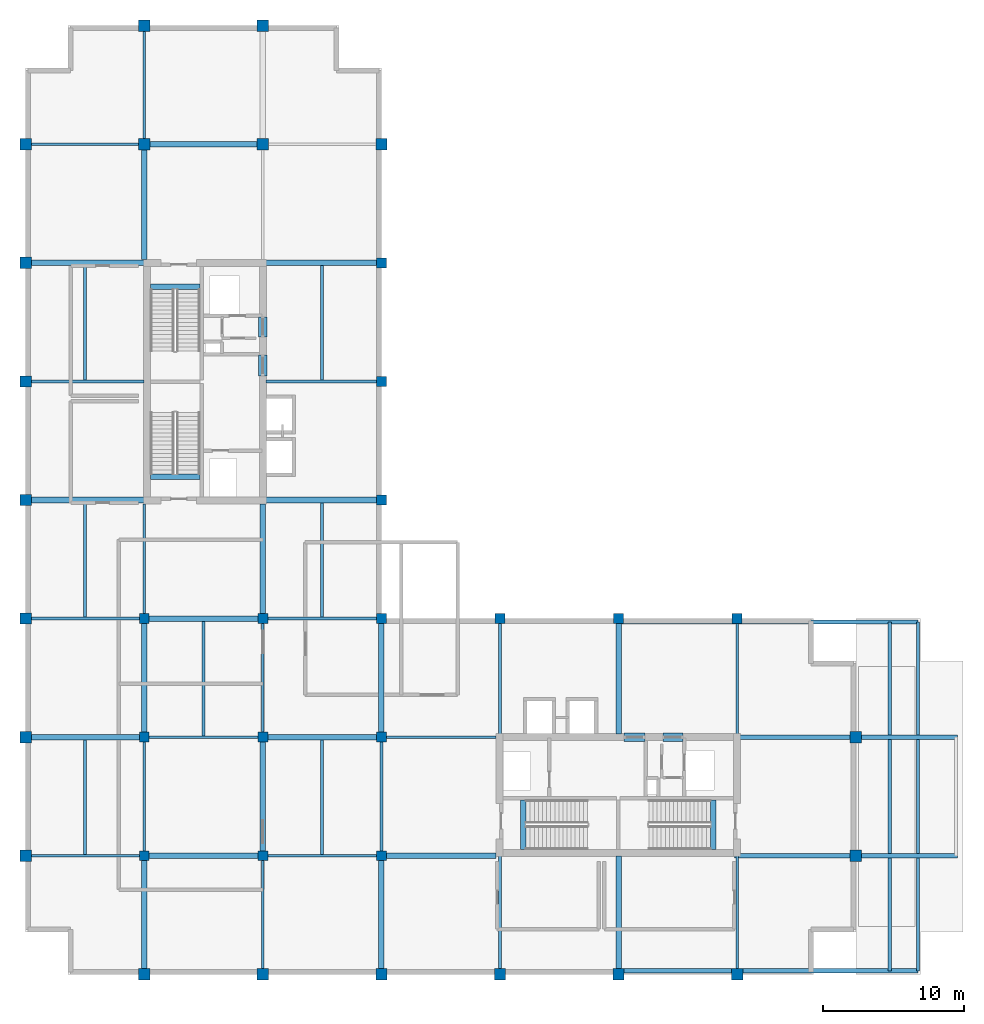
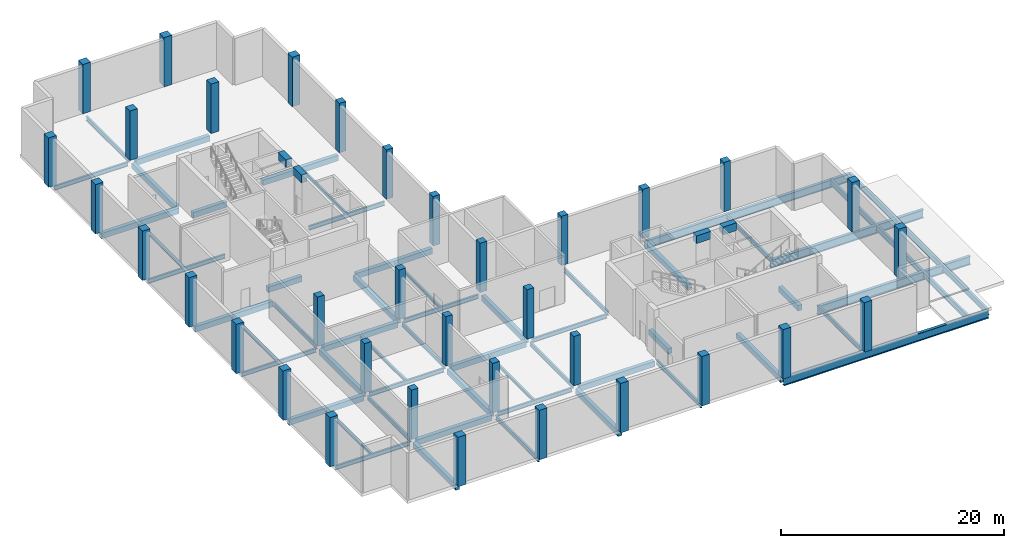
# One storey, part 1 of 7: 59 beams, 35 columns.
"""IFC4 building model written with IfcOpenShell, lengths in metres."""

from ifc_helpers import new_model, si_unit, direction, frame, origin, origin_2d, place, context, subcontext, project, spatial, rectangle, i_section, extrude, material, material_profile, profile_set, type_object, element, save


model = new_model("IFC4")

# Units and contexts
model_context = context("Model", 3, precision=1e-05, world=origin(), true_north=direction((0.0, 1.0)))
body_context = subcontext(model_context, "Body", "Model", "MODEL_VIEW")
ifc_project = project(units=[si_unit("LENGTHUNIT", "METRE"), si_unit("AREAUNIT", "SQUARE_METRE"), si_unit("VOLUMEUNIT", "CUBIC_METRE"), si_unit("PLANEANGLEUNIT", "RADIAN"), si_unit("MASSUNIT", "GRAM", prefix="KILO")], contexts=[model_context])

# Site, building, storey
site_placement = place(None, origin())
site = spatial("IfcSite", under=ifc_project, at=site_placement, CompositionType="ELEMENT")
building_placement = place(site_placement, origin())
building = spatial("IfcBuilding", under=site, at=building_placement, Name="Koriwani Terraces Tower", CompositionType="ELEMENT")
storey_placement = place(building_placement, frame((0.0, 0.0, 368.60009765625)))
storey = spatial("IfcBuildingStorey", under=building, at=storey_placement, Name="L91", CompositionType="ELEMENT", Elevation=368.60009765625)

# Columns
ifc_material_1 = material(Name="Concrete C50/60", Category="concrete")
ifc_material_profile_1 = material_profile(ifc_material_1, rectangle(XDim=0.699951171875, YDim=0.699951171875, at=origin_2d()), Name="Concrete C50/60", Category="LoadBearing")
ifc_profile_set_1 = profile_set([ifc_material_profile_1], Name="Concrete C50/60")
column_type_1 = type_object("IfcColumnType", Name="COL_RC_700X700", PredefinedType="COLUMN", material=ifc_profile_set_1)
for number, where, z_axis, x_axis, name in (
    (1, (16.800048828125, 16.800048828125, 0.0), (0.0, 0.0, 1.0), (1.0, 0.0, 0.0), "L91 Column 3/C"),
    (2, (16.800048828125, 25.199951171875, 0.0), (0.0, 0.0, 1.0), (1.0, 0.0, 0.0), "L91 Column 3/D"),
    (3, (16.800048828125, 33.60009765625, 0.0), (0.0, 0.0, 1.0), (1.0, 0.0, 0.0), "L91 Column 3/E"),
    (4, (25.199951171875, 16.800048828125, 0.0), (0.0, 0.0, 1.0), (1.0, 0.0, 0.0), "L91 Column 4/C"),
    (5, (25.199951171875, 25.199951171875, 0.0), (0.0, 0.0, 1.0), (1.0, 0.0, 0.0), "L91 Column 4/D"),
    (6, (25.199951171875, 33.60009765625, 0.0), (0.0, 0.0, 1.0), (1.0, 0.0, 0.0), "L91 Column 4/E"),
    (7, (33.60009765625, 16.800048828125, 0.0), (0.0, 0.0, 1.0), (1.0, 0.0, 0.0), "L91 Column 5/C"),
    (8, (33.60009765625, 25.199951171875, 0.0), (0.0, 0.0, 1.0), (1.0, 0.0, 0.0), "L91 Column 5/D"),
    (9, (33.60009765625, 33.60009765625, 0.0), (0.0, 0.0, 1.0), (1.0, 0.0, 0.0), "L91 Column 5/E"),
    (10, (33.60009765625, 42.0, 0.0), (0.0, 0.0, 1.0), (1.0, 0.0, 0.0), "L91 Column 5/F"),
    (11, (33.60009765625, 50.39990234375, 0.0), (0.0, 0.0, 1.0), (1.0, 0.0, 0.0), "L91 Column 5/G"),
    (12, (33.60009765625, 58.800048828125, 0.0), (0.0, 0.0, 1.0), (1.0, 0.0, 0.0), "L91 Column 5/H"),
    (13, (42.0, 33.60009765625, 0.0), (0.0, 0.0, 1.0), (1.0, 0.0, 0.0), "L91 Column 6/E"),
    (14, (50.39990234375, 33.60009765625, 0.0), (0.0, 0.0, 1.0), (1.0, 0.0, 0.0), "L91 Column 7/E"),
    (15, (58.800048828125, 33.60009765625, 0.0), (0.0, 0.0, 1.0), (1.0, 0.0, 0.0), "L91 Column 8/E"),
):
    element("IfcColumn", number, at=place(storey_placement, frame(where, z_axis=z_axis, x_axis=x_axis)), inside=storey, type_object=column_type_1, Name=name, PredefinedType="COLUMN", context=body_context, shape_type="SweptSolid", body=[
        extrude(rectangle(XDim=0.699951171875, YDim=0.699951171875, at=origin_2d()), origin(), (0.0, 0.0, 1.0), 5.39990234375),
    ])
ifc_material_profile_2 = material_profile(ifc_material_1, rectangle(XDim=0.800048828125, YDim=0.800048828125, at=origin_2d()), Name="Concrete C50/60", Category="LoadBearing")
ifc_profile_set_2 = profile_set([ifc_material_profile_2], Name="Concrete C50/60")
column_type_2 = type_object("IfcColumnType", Name="COL_RC_800X800", PredefinedType="COLUMN", material=ifc_profile_set_2)
for number, where, z_axis, x_axis, name in (
    (16, (8.39990234375, 16.800048828125, 0.0), (0.0, 0.0, 1.0), (1.0, 0.0, 0.0), "L91 Column 2/C"),
    (17, (8.39990234375, 25.199951171875, 0.0), (0.0, 0.0, 1.0), (1.0, 0.0, 0.0), "L91 Column 2/D"),
    (18, (8.39990234375, 33.60009765625, 0.0), (0.0, 0.0, 1.0), (1.0, 0.0, 0.0), "L91 Column 2/E"),
    (19, (8.39990234375, 42.0, 0.0), (0.0, 0.0, 1.0), (1.0, 0.0, 0.0), "L91 Column 2/F"),
    (20, (8.39990234375, 50.39990234375, 0.0), (0.0, 0.0, 1.0), (1.0, 0.0, 0.0), "L91 Column 2/G"),
    (21, (8.39990234375, 58.800048828125, 0.0), (0.0, 0.0, 1.0), (1.0, 0.0, 0.0), "L91 Column 2/H"),
    (22, (8.39990234375, 67.199951171875, 0.0), (0.0, 0.0, 1.0), (1.0, 0.0, 0.0), "L91 Column 2/I"),
    (23, (16.800048828125, 8.39990234375, 0.0), (0.0, 0.0, 1.0), (1.0, 0.0, 0.0), "L91 Column 3/B"),
    (24, (16.800048828125, 67.199951171875, 0.0), (0.0, 0.0, 1.0), (1.0, 0.0, 0.0), "L91 Column 3/I"),
    (25, (16.800048828125, 75.60009765625, 0.0), (0.0, 0.0, 1.0), (1.0, 0.0, 0.0), "L91 Column 3/J"),
    (26, (25.199951171875, 8.39990234375, 0.0), (0.0, 0.0, 1.0), (1.0, 0.0, 0.0), "L91 Column 4/B"),
    (27, (25.199951171875, 67.199951171875, 0.0), (0.0, 0.0, 1.0), (1.0, 0.0, 0.0), "L91 Column 4/I"),
    (28, (25.199951171875, 75.60009765625, 0.0), (0.0, 0.0, 1.0), (1.0, 0.0, 0.0), "L91 Column 4/J"),
    (29, (33.60009765625, 8.39990234375, 0.0), (0.0, 0.0, 1.0), (1.0, 0.0, 0.0), "L91 Column 5/B"),
    (30, (33.60009765625, 67.199951171875, 0.0), (0.0, 0.0, 1.0), (1.0, 0.0, 0.0), "L91 Column 5/I"),
    (31, (42.0, 8.39990234375, 0.0), (0.0, 0.0, 1.0), (1.0, 0.0, 0.0), "L91 Column 6/B"),
    (32, (50.39990234375, 8.39990234375, 0.0), (0.0, 0.0, 1.0), (1.0, 0.0, 0.0), "L91 Column 7/B"),
    (33, (58.800048828125, 8.39990234375, 0.0), (0.0, 0.0, 1.0), (1.0, 0.0, 0.0), "L91 Column 8/B"),
    (34, (67.199951171875, 16.800048828125, 0.0), (0.0, 0.0, 1.0), (1.0, 0.0, 0.0), "L91 Column 9/C"),
    (35, (67.199951171875, 25.199951171875, 0.0), (0.0, 0.0, 1.0), (1.0, 0.0, 0.0), "L91 Column 9/D"),
):
    element("IfcColumn", number, at=place(storey_placement, frame(where, z_axis=z_axis, x_axis=x_axis)), inside=storey, type_object=column_type_2, Name=name, PredefinedType="COLUMN", context=body_context, shape_type="SweptSolid", body=[
        extrude(rectangle(XDim=0.800048828125, YDim=0.800048828125, at=origin_2d()), origin(), (0.0, 0.0, 1.0), 5.39990234375),
    ])

# Beams
ifc_material_profile_3 = material_profile(ifc_material_1, rectangle(XDim=0.60009765625, YDim=0.85009765625, at=origin_2d()), Name="Concrete C50/60", Category="LoadBearing")
ifc_profile_set_3 = profile_set([ifc_material_profile_3], Name="Concrete C50/60")
beam_type_1 = type_object("IfcBeamType", Name="BEAM_RC_COUPLING_600X850", PredefinedType="LINTEL", material=ifc_profile_set_3)
beam_1_placement = place(storey_placement, frame((25.199951171875, 50.800048828125, 4.69482421875), z_axis=(0.0, 1.0, 0.0), x_axis=(-1.0, 0.0, 0.0)))
element("IfcBeam", 36, at=beam_1_placement, inside=storey, type_object=beam_type_1, Name="L91 Core Coupling Lintel Beam WE1", PredefinedType="LINTEL", context=body_context, shape_type="SweptSolid", body=[
    extrude(rectangle(XDim=0.60009765625, YDim=0.85009765625, at=origin_2d()), origin(), (0.0, 0.0, 1.0), 1.47998046875),
])
beam_2_placement = place(storey_placement, frame((25.199951171875, 53.550048828125, 4.69482421875), z_axis=(0.0, 1.0, 0.0), x_axis=(-1.0, 0.0, 0.0)))
element("IfcBeam", 37, at=beam_2_placement, inside=storey, type_object=beam_type_1, Name="L91 Core Coupling Lintel Beam WE2", PredefinedType="LINTEL", context=body_context, shape_type="SweptSolid", body=[
    extrude(rectangle(XDim=0.60009765625, YDim=0.85009765625, at=origin_2d()), origin(), (0.0, 0.0, 1.0), 1.39990234375),
])
beam_3_placement = place(storey_placement, frame((50.800048828125, 25.199951171875, 4.69482421875), z_axis=(1.0, 0.0, 0.0), x_axis=(0.0, 1.0, 0.0)))
element("IfcBeam", 38, at=beam_3_placement, inside=storey, type_object=beam_type_1, Name="L91 Core Coupling Lintel Beam EN1", PredefinedType="LINTEL", context=body_context, shape_type="SweptSolid", body=[
    extrude(rectangle(XDim=0.60009765625, YDim=0.85009765625, at=origin_2d()), origin(), (0.0, 0.0, 1.0), 1.47998046875),
])
beam_4_placement = place(storey_placement, frame((53.550048828125, 25.199951171875, 4.69482421875), z_axis=(1.0, 0.0, 0.0), x_axis=(0.0, 1.0, 0.0)))
element("IfcBeam", 39, at=beam_4_placement, inside=storey, type_object=beam_type_1, Name="L91 Core Coupling Lintel Beam EN2", PredefinedType="LINTEL", context=body_context, shape_type="SweptSolid", body=[
    extrude(rectangle(XDim=0.60009765625, YDim=0.85009765625, at=origin_2d()), origin(), (0.0, 0.0, 1.0), 1.39990234375),
])
ifc_material_2 = material(Name="Concrete C40/50", Category="concrete")
ifc_material_profile_4 = material_profile(ifc_material_2, rectangle(XDim=0.39990234375, YDim=0.60009765625, at=origin_2d()), Name="Concrete C40/50", Category="LoadBearing")
ifc_profile_set_4 = profile_set([ifc_material_profile_4], Name="Concrete C40/50")
beam_type_2 = type_object("IfcBeamType", Name="BEAM_RC_GRID_400X600", PredefinedType="BEAM", material=ifc_profile_set_4)
for number, where, z_axis, x_axis, name in (
    (40, (17.25, 43.655029296875, -0.300048828125), (1.0, 0.0, 0.0), (0.0, 1.0, 0.0), "L91 Stairwell Header Trimmer Beam ST-W1"),
    (41, (17.25, 57.094970703125, -0.300048828125), (1.0, 0.0, 0.0), (0.0, 1.0, 0.0), "L91 Stairwell Header Trimmer Beam ST-W2"),
    (42, (43.655029296875, 17.25, -0.300048828125), (0.0, 1.0, 0.0), (-1.0, 0.0, 0.0), "L91 Stairwell Header Trimmer Beam ST-E1"),
    (43, (57.094970703125, 17.25, -0.300048828125), (0.0, 1.0, 0.0), (-1.0, 0.0, 0.0), "L91 Stairwell Header Trimmer Beam ST-E2"),
):
    element("IfcBeam", number, at=place(storey_placement, frame(where, z_axis=z_axis, x_axis=x_axis)), inside=storey, type_object=beam_type_2, Name=name, PredefinedType="BEAM", context=body_context, shape_type="SweptSolid", body=[
        extrude(rectangle(XDim=0.39990234375, YDim=0.60009765625, at=origin_2d()), origin(), (0.0, 0.0, 1.0), 3.5),
    ])
beam_5_placement = place(storey_placement, frame((17.1298828125, 16.800048828125, -0.650146484375), z_axis=(1.0, 0.0, 0.0), x_axis=(0.0, 1.0, 0.0)))
element("IfcBeam", 44, at=beam_5_placement, inside=storey, type_object=beam_type_2, Name="L91 Grid Beam C (16.8-25.2m)", PredefinedType="BEAM", context=body_context, shape_type="SweptSolid", body=[
    extrude(rectangle(XDim=0.39990234375, YDim=0.60009765625, at=origin_2d()), origin(), (0.0, 0.0, 1.0), 7.740234375),
])
beam_6_placement = place(storey_placement, frame((33.929931640625, 16.800048828125, -0.650146484375), z_axis=(1.0, 0.0, 0.0), x_axis=(0.0, 1.0, 0.0)))
element("IfcBeam", 45, at=beam_6_placement, inside=storey, type_object=beam_type_2, Name="L91 Grid Beam C (33.6-42.0m)", PredefinedType="BEAM", context=body_context, shape_type="SweptSolid", body=[
    extrude(rectangle(XDim=0.39990234375, YDim=0.60009765625, at=origin_2d()), origin(), (0.0, 0.0, 1.0), 7.7900390625),
])
beam_7_placement = place(storey_placement, frame((8.780029296875, 25.199951171875, -0.650146484375), z_axis=(1.0, 0.0, 0.0), x_axis=(0.0, 1.0, 0.0)))
element("IfcBeam", 46, at=beam_7_placement, inside=storey, type_object=beam_type_2, Name="L91 Grid Beam D (8.4-16.8m)", PredefinedType="BEAM", context=body_context, shape_type="SweptSolid", body=[
    extrude(rectangle(XDim=0.39990234375, YDim=0.60009765625, at=origin_2d()), origin(), (0.0, 0.0, 1.0), 7.68994140625),
])
beam_8_placement = place(storey_placement, frame((25.530029296875, 25.199951171875, -0.650146484375), z_axis=(1.0, 0.0, 0.0), x_axis=(0.0, 1.0, 0.0)))
element("IfcBeam", 47, at=beam_8_placement, inside=storey, type_object=beam_type_2, Name="L91 Grid Beam D (25.2-33.6m)", PredefinedType="BEAM", context=body_context, shape_type="SweptSolid", body=[
    extrude(rectangle(XDim=0.39990234375, YDim=0.60009765625, at=origin_2d()), origin(), (0.0, 0.0, 1.0), 7.739990234375),
])
beam_9_placement = place(storey_placement, frame((17.1298828125, 33.60009765625, -0.650146484375), z_axis=(1.0, 0.0, 0.0), x_axis=(0.0, 1.0, 0.0)))
element("IfcBeam", 48, at=beam_9_placement, inside=storey, type_object=beam_type_2, Name="L91 Grid Beam E (16.8-25.2m)", PredefinedType="BEAM", context=body_context, shape_type="SweptSolid", body=[
    extrude(rectangle(XDim=0.39990234375, YDim=0.60009765625, at=origin_2d()), origin(), (0.0, 0.0, 1.0), 7.740234375),
])
beam_10_placement = place(storey_placement, frame((8.780029296875, 42.0, -0.650146484375), z_axis=(1.0, 0.0, 0.0), x_axis=(0.0, 1.0, 0.0)))
element("IfcBeam", 49, at=beam_10_placement, inside=storey, type_object=beam_type_2, Name="L91 Grid Beam F (8.4-16.8m)", PredefinedType="BEAM", context=body_context, shape_type="SweptSolid", body=[
    extrude(rectangle(XDim=0.39990234375, YDim=0.60009765625, at=origin_2d()), origin(), (0.0, 0.0, 1.0), 7.989990234375),
])
beam_11_placement = place(storey_placement, frame((25.429931640625, 42.0, -0.650146484375), z_axis=(1.0, 0.0, 0.0), x_axis=(0.0, 1.0, 0.0)))
element("IfcBeam", 50, at=beam_11_placement, inside=storey, type_object=beam_type_2, Name="L91 Grid Beam F (25.2-33.6m)", PredefinedType="BEAM", context=body_context, shape_type="SweptSolid", body=[
    extrude(rectangle(XDim=0.39990234375, YDim=0.60009765625, at=origin_2d()), origin(), (0.0, 0.0, 1.0), 7.840087890625),
])
beam_12_placement = place(storey_placement, frame((8.780029296875, 58.800048828125, -0.650146484375), z_axis=(1.0, 0.0, 0.0), x_axis=(0.0, 1.0, 0.0)))
element("IfcBeam", 51, at=beam_12_placement, inside=storey, type_object=beam_type_2, Name="L91 Grid Beam H (8.4-16.8m)", PredefinedType="BEAM", context=body_context, shape_type="SweptSolid", body=[
    extrude(rectangle(XDim=0.39990234375, YDim=0.60009765625, at=origin_2d()), origin(), (0.0, 0.0, 1.0), 7.989990234375),
])
beam_13_placement = place(storey_placement, frame((25.429931640625, 58.800048828125, -0.650146484375), z_axis=(1.0, 0.0, 0.0), x_axis=(0.0, 1.0, 0.0)))
element("IfcBeam", 52, at=beam_13_placement, inside=storey, type_object=beam_type_2, Name="L91 Grid Beam H (25.2-33.6m)", PredefinedType="BEAM", context=body_context, shape_type="SweptSolid", body=[
    extrude(rectangle(XDim=0.39990234375, YDim=0.60009765625, at=origin_2d()), origin(), (0.0, 0.0, 1.0), 7.840087890625),
])
beam_14_placement = place(storey_placement, frame((17.179931640625, 67.199951171875, -0.650146484375), z_axis=(1.0, 0.0, 0.0), x_axis=(0.0, 1.0, 0.0)))
element("IfcBeam", 53, at=beam_14_placement, inside=storey, type_object=beam_type_2, Name="L91 Grid Beam I (16.8-25.2m)", PredefinedType="BEAM", context=body_context, shape_type="SweptSolid", body=[
    extrude(rectangle(XDim=0.39990234375, YDim=0.60009765625, at=origin_2d()), origin(), (0.0, 0.0, 1.0), 7.64013671875),
])
beam_15_placement = place(storey_placement, frame((16.800048828125, 8.780029296875, -0.650146484375), z_axis=(0.0, 1.0, 0.0), x_axis=(-1.0, 0.0, 0.0)))
element("IfcBeam", 54, at=beam_15_placement, inside=storey, type_object=beam_type_2, Name="L91 Grid Beam 3 (8.4-16.8m)", PredefinedType="BEAM", context=body_context, shape_type="SweptSolid", body=[
    extrude(rectangle(XDim=0.39990234375, YDim=0.60009765625, at=origin_2d()), origin(), (0.0, 0.0, 1.0), 7.68994140625),
])
beam_16_placement = place(storey_placement, frame((16.800048828125, 25.530029296875, -0.650146484375), z_axis=(0.0, 1.0, 0.0), x_axis=(-1.0, 0.0, 0.0)))
element("IfcBeam", 55, at=beam_16_placement, inside=storey, type_object=beam_type_2, Name="L91 Grid Beam 3 (25.2-33.6m)", PredefinedType="BEAM", context=body_context, shape_type="SweptSolid", body=[
    extrude(rectangle(XDim=0.39990234375, YDim=0.60009765625, at=origin_2d()), origin(), (0.0, 0.0, 1.0), 7.739990234375),
])
beam_17_placement = place(storey_placement, frame((16.800048828125, 59.030029296875, -0.650146484375), z_axis=(0.0, 1.0, 0.0), x_axis=(-1.0, 0.0, 0.0)))
element("IfcBeam", 56, at=beam_17_placement, inside=storey, type_object=beam_type_2, Name="L91 Grid Beam 3 (58.8-67.2m)", PredefinedType="BEAM", context=body_context, shape_type="SweptSolid", body=[
    extrude(rectangle(XDim=0.39990234375, YDim=0.60009765625, at=origin_2d()), origin(), (0.0, 0.0, 1.0), 7.7900390625),
])
beam_18_placement = place(storey_placement, frame((25.199951171875, 17.1298828125, -0.650146484375), z_axis=(0.0, 1.0, 0.0), x_axis=(-1.0, 0.0, 0.0)))
element("IfcBeam", 57, at=beam_18_placement, inside=storey, type_object=beam_type_2, Name="L91 Grid Beam 4 (16.8-25.2m)", PredefinedType="BEAM", context=body_context, shape_type="SweptSolid", body=[
    extrude(rectangle(XDim=0.39990234375, YDim=0.60009765625, at=origin_2d()), origin(), (0.0, 0.0, 1.0), 7.740234375),
])
beam_19_placement = place(storey_placement, frame((25.199951171875, 33.929931640625, -0.650146484375), z_axis=(0.0, 1.0, 0.0), x_axis=(-1.0, 0.0, 0.0)))
element("IfcBeam", 58, at=beam_19_placement, inside=storey, type_object=beam_type_2, Name="L91 Grid Beam 4 (33.6-42.0m)", PredefinedType="BEAM", context=body_context, shape_type="SweptSolid", body=[
    extrude(rectangle(XDim=0.39990234375, YDim=0.60009765625, at=origin_2d()), origin(), (0.0, 0.0, 1.0), 7.7900390625),
])
beam_20_placement = place(storey_placement, frame((33.60009765625, 8.780029296875, -0.650146484375), z_axis=(0.0, 1.0, 0.0), x_axis=(-1.0, 0.0, 0.0)))
element("IfcBeam", 59, at=beam_20_placement, inside=storey, type_object=beam_type_2, Name="L91 Grid Beam 5 (8.4-16.8m)", PredefinedType="BEAM", context=body_context, shape_type="SweptSolid", body=[
    extrude(rectangle(XDim=0.39990234375, YDim=0.60009765625, at=origin_2d()), origin(), (0.0, 0.0, 1.0), 7.68994140625),
])
beam_21_placement = place(storey_placement, frame((33.60009765625, 25.530029296875, -0.650146484375), z_axis=(0.0, 1.0, 0.0), x_axis=(-1.0, 0.0, 0.0)))
element("IfcBeam", 60, at=beam_21_placement, inside=storey, type_object=beam_type_2, Name="L91 Grid Beam 5 (25.2-33.6m)", PredefinedType="BEAM", context=body_context, shape_type="SweptSolid", body=[
    extrude(rectangle(XDim=0.39990234375, YDim=0.60009765625, at=origin_2d()), origin(), (0.0, 0.0, 1.0), 7.739990234375),
])
beam_22_placement = place(storey_placement, frame((50.39990234375, 8.780029296875, -0.650146484375), z_axis=(0.0, 1.0, 0.0), x_axis=(-1.0, 0.0, 0.0)))
element("IfcBeam", 61, at=beam_22_placement, inside=storey, type_object=beam_type_2, Name="L91 Grid Beam 7 (8.4-16.8m)", PredefinedType="BEAM", context=body_context, shape_type="SweptSolid", body=[
    extrude(rectangle(XDim=0.39990234375, YDim=0.60009765625, at=origin_2d()), origin(), (0.0, 0.0, 1.0), 7.989990234375),
])
beam_23_placement = place(storey_placement, frame((50.39990234375, 25.429931640625, -0.650146484375), z_axis=(0.0, 1.0, 0.0), x_axis=(-1.0, 0.0, 0.0)))
element("IfcBeam", 62, at=beam_23_placement, inside=storey, type_object=beam_type_2, Name="L91 Grid Beam 7 (25.2-33.6m)", PredefinedType="BEAM", context=body_context, shape_type="SweptSolid", body=[
    extrude(rectangle(XDim=0.39990234375, YDim=0.60009765625, at=origin_2d()), origin(), (0.0, 0.0, 1.0), 7.840087890625),
])
ifc_material_3 = material(Name="Steel ASTM A572 Grade 50", Category="steel")
ifc_material_profile_5 = material_profile(ifc_material_3, i_section(OverallWidth=0.205078125, OverallDepth=0.31005859375, WebThickness=0.009521484375, FlangeThickness=0.016357421875, at=origin_2d()), Name="Steel ASTM A572 Grade 50", Category="LoadBearing")
ifc_profile_set_5 = profile_set([ifc_material_profile_5], Name="Steel ASTM A572 Grade 50")
beam_type_3 = type_object("IfcBeamType", Name="STEEL_BEAM_W310X74", PredefinedType="JOIST", material=ifc_profile_set_5)
for number, where, z_axis, x_axis, name in (
    (63, (12.60009765625, 16.885986328125, -0.505126953125), (0.0, 1.0, 0.0), (-1.0, 0.0, 0.0), "L91 Secondary Steel Floor Joist X=12.6m"),
    (64, (12.60009765625, 33.68603515625, -0.505126953125), (0.0, 1.0, 0.0), (-1.0, 0.0, 0.0), "L91 Secondary Steel Floor Joist X=12.6m"),
    (65, (12.60009765625, 50.486083984375, -0.505126953125), (0.0, 1.0, 0.0), (-1.0, 0.0, 0.0), "L91 Secondary Steel Floor Joist X=12.6m"),
    (66, (21.0, 25.285888671875, -0.505126953125), (0.0, 1.0, 0.0), (-1.0, 0.0, 0.0), "L91 Secondary Steel Floor Joist X=21.0m"),
    (67, (29.39990234375, 16.885986328125, -0.505126953125), (0.0, 1.0, 0.0), (-1.0, 0.0, 0.0), "L91 Secondary Steel Floor Joist X=29.4m"),
    (68, (29.39990234375, 33.68603515625, -0.505126953125), (0.0, 1.0, 0.0), (-1.0, 0.0, 0.0), "L91 Secondary Steel Floor Joist X=29.4m"),
    (69, (29.39990234375, 50.486083984375, -0.505126953125), (0.0, 1.0, 0.0), (-1.0, 0.0, 0.0), "L91 Secondary Steel Floor Joist X=29.4m"),
):
    element("IfcBeam", number, at=place(storey_placement, frame(where, z_axis=z_axis, x_axis=x_axis)), inside=storey, type_object=beam_type_3, Name=name, PredefinedType="JOIST", context=body_context, shape_type="SweptSolid", body=[
        extrude(i_section(OverallWidth=0.205078125, OverallDepth=0.31005859375, WebThickness=0.009521484375, FlangeThickness=0.016357421875, at=origin_2d()), origin(), (0.0, 0.0, 1.0), 8.1240234375),
    ])
ifc_material_profile_6 = material_profile(ifc_material_3, i_section(OverallWidth=0.19189453125, OverallDepth=0.462890625, WebThickness=0.010498046875, FlangeThickness=0.01611328125, at=origin_2d()), Name="Steel ASTM A572 Grade 50", Category="LoadBearing")
ifc_profile_set_6 = profile_set([ifc_material_profile_6], Name="Steel ASTM A572 Grade 50")
beam_type_4 = type_object("IfcBeamType", Name="STEEL_BEAM_W460X89", PredefinedType="BEAM", material=ifc_profile_set_6)
beam_24_placement = place(storey_placement, frame((8.780029296875, 16.800048828125, -0.58154296875), z_axis=(1.0, 0.0, 0.0), x_axis=(0.0, 1.0, 0.0)))
element("IfcBeam", 70, at=beam_24_placement, inside=storey, type_object=beam_type_4, Name="L91 Grid Beam C (8.4-16.8m)", PredefinedType="BEAM", context=body_context, shape_type="SweptSolid", body=[
    extrude(i_section(OverallWidth=0.19189453125, OverallDepth=0.462890625, WebThickness=0.010498046875, FlangeThickness=0.01611328125, at=origin_2d()), origin(), (0.0, 0.0, 1.0), 7.68994140625),
])
beam_25_placement = place(storey_placement, frame((25.530029296875, 16.800048828125, -0.58154296875), z_axis=(1.0, 0.0, 0.0), x_axis=(0.0, 1.0, 0.0)))
element("IfcBeam", 71, at=beam_25_placement, inside=storey, type_object=beam_type_4, Name="L91 Grid Beam C (25.2-33.6m)", PredefinedType="BEAM", context=body_context, shape_type="SweptSolid", body=[
    extrude(i_section(OverallWidth=0.19189453125, OverallDepth=0.462890625, WebThickness=0.010498046875, FlangeThickness=0.01611328125, at=origin_2d()), origin(), (0.0, 0.0, 1.0), 7.739990234375),
])
beam_26_placement = place(storey_placement, frame((17.1298828125, 25.199951171875, -0.58154296875), z_axis=(1.0, 0.0, 0.0), x_axis=(0.0, 1.0, 0.0)))
element("IfcBeam", 72, at=beam_26_placement, inside=storey, type_object=beam_type_4, Name="L91 Grid Beam D (16.8-25.2m)", PredefinedType="BEAM", context=body_context, shape_type="SweptSolid", body=[
    extrude(i_section(OverallWidth=0.19189453125, OverallDepth=0.462890625, WebThickness=0.010498046875, FlangeThickness=0.01611328125, at=origin_2d()), origin(), (0.0, 0.0, 1.0), 7.740234375),
])
beam_27_placement = place(storey_placement, frame((33.929931640625, 25.199951171875, -0.58154296875), z_axis=(1.0, 0.0, 0.0), x_axis=(0.0, 1.0, 0.0)))
element("IfcBeam", 73, at=beam_27_placement, inside=storey, type_object=beam_type_4, Name="L91 Grid Beam D (33.6-42.0m)", PredefinedType="BEAM", context=body_context, shape_type="SweptSolid", body=[
    extrude(i_section(OverallWidth=0.19189453125, OverallDepth=0.462890625, WebThickness=0.010498046875, FlangeThickness=0.01611328125, at=origin_2d()), origin(), (0.0, 0.0, 1.0), 7.7900390625),
])
beam_28_placement = place(storey_placement, frame((8.780029296875, 33.60009765625, -0.58154296875), z_axis=(1.0, 0.0, 0.0), x_axis=(0.0, 1.0, 0.0)))
element("IfcBeam", 74, at=beam_28_placement, inside=storey, type_object=beam_type_4, Name="L91 Grid Beam E (8.4-16.8m)", PredefinedType="BEAM", context=body_context, shape_type="SweptSolid", body=[
    extrude(i_section(OverallWidth=0.19189453125, OverallDepth=0.462890625, WebThickness=0.010498046875, FlangeThickness=0.01611328125, at=origin_2d()), origin(), (0.0, 0.0, 1.0), 7.68994140625),
])
beam_29_placement = place(storey_placement, frame((25.530029296875, 33.60009765625, -0.58154296875), z_axis=(1.0, 0.0, 0.0), x_axis=(0.0, 1.0, 0.0)))
element("IfcBeam", 75, at=beam_29_placement, inside=storey, type_object=beam_type_4, Name="L91 Grid Beam E (25.2-33.6m)", PredefinedType="BEAM", context=body_context, shape_type="SweptSolid", body=[
    extrude(i_section(OverallWidth=0.19189453125, OverallDepth=0.462890625, WebThickness=0.010498046875, FlangeThickness=0.01611328125, at=origin_2d()), origin(), (0.0, 0.0, 1.0), 7.739990234375),
])
beam_30_placement = place(storey_placement, frame((8.780029296875, 50.39990234375, -0.58154296875), z_axis=(1.0, 0.0, 0.0), x_axis=(0.0, 1.0, 0.0)))
element("IfcBeam", 76, at=beam_30_placement, inside=storey, type_object=beam_type_4, Name="L91 Grid Beam G (8.4-16.8m)", PredefinedType="BEAM", context=body_context, shape_type="SweptSolid", body=[
    extrude(i_section(OverallWidth=0.19189453125, OverallDepth=0.462890625, WebThickness=0.010498046875, FlangeThickness=0.01611328125, at=origin_2d()), origin(), (0.0, 0.0, 1.0), 7.989990234375),
])
beam_31_placement = place(storey_placement, frame((25.429931640625, 50.39990234375, -0.58154296875), z_axis=(1.0, 0.0, 0.0), x_axis=(0.0, 1.0, 0.0)))
element("IfcBeam", 77, at=beam_31_placement, inside=storey, type_object=beam_type_4, Name="L91 Grid Beam G (25.2-33.6m)", PredefinedType="BEAM", context=body_context, shape_type="SweptSolid", body=[
    extrude(i_section(OverallWidth=0.19189453125, OverallDepth=0.462890625, WebThickness=0.010498046875, FlangeThickness=0.01611328125, at=origin_2d()), origin(), (0.0, 0.0, 1.0), 7.840087890625),
])
beam_32_placement = place(storey_placement, frame((8.780029296875, 67.199951171875, -0.58154296875), z_axis=(1.0, 0.0, 0.0), x_axis=(0.0, 1.0, 0.0)))
element("IfcBeam", 78, at=beam_32_placement, inside=storey, type_object=beam_type_4, Name="L91 Grid Beam I (8.4-16.8m)", PredefinedType="BEAM", context=body_context, shape_type="SweptSolid", body=[
    extrude(i_section(OverallWidth=0.19189453125, OverallDepth=0.462890625, WebThickness=0.010498046875, FlangeThickness=0.01611328125, at=origin_2d()), origin(), (0.0, 0.0, 1.0), 7.639892578125),
])
beam_33_placement = place(storey_placement, frame((16.800048828125, 17.1298828125, -0.58154296875), z_axis=(0.0, 1.0, 0.0), x_axis=(-1.0, 0.0, 0.0)))
element("IfcBeam", 79, at=beam_33_placement, inside=storey, type_object=beam_type_4, Name="L91 Grid Beam 3 (16.8-25.2m)", PredefinedType="BEAM", context=body_context, shape_type="SweptSolid", body=[
    extrude(i_section(OverallWidth=0.19189453125, OverallDepth=0.462890625, WebThickness=0.010498046875, FlangeThickness=0.01611328125, at=origin_2d()), origin(), (0.0, 0.0, 1.0), 7.740234375),
])
beam_34_placement = place(storey_placement, frame((16.800048828125, 33.929931640625, -0.58154296875), z_axis=(0.0, 1.0, 0.0), x_axis=(-1.0, 0.0, 0.0)))
element("IfcBeam", 80, at=beam_34_placement, inside=storey, type_object=beam_type_4, Name="L91 Grid Beam 3 (33.6-42.0m)", PredefinedType="BEAM", context=body_context, shape_type="SweptSolid", body=[
    extrude(i_section(OverallWidth=0.19189453125, OverallDepth=0.462890625, WebThickness=0.010498046875, FlangeThickness=0.01611328125, at=origin_2d()), origin(), (0.0, 0.0, 1.0), 7.7900390625),
])
beam_35_placement = place(storey_placement, frame((16.800048828125, 67.580078125, -0.58154296875), z_axis=(0.0, 1.0, 0.0), x_axis=(-1.0, 0.0, 0.0)))
element("IfcBeam", 81, at=beam_35_placement, inside=storey, type_object=beam_type_4, Name="L91 Grid Beam 3 (67.2-75.6m)", PredefinedType="BEAM", context=body_context, shape_type="SweptSolid", body=[
    extrude(i_section(OverallWidth=0.19189453125, OverallDepth=0.462890625, WebThickness=0.010498046875, FlangeThickness=0.01611328125, at=origin_2d()), origin(), (0.0, 0.0, 1.0), 7.639892578125),
])
beam_36_placement = place(storey_placement, frame((25.199951171875, 8.780029296875, -0.58154296875), z_axis=(0.0, 1.0, 0.0), x_axis=(-1.0, 0.0, 0.0)))
element("IfcBeam", 82, at=beam_36_placement, inside=storey, type_object=beam_type_4, Name="L91 Grid Beam 4 (8.4-16.8m)", PredefinedType="BEAM", context=body_context, shape_type="SweptSolid", body=[
    extrude(i_section(OverallWidth=0.19189453125, OverallDepth=0.462890625, WebThickness=0.010498046875, FlangeThickness=0.01611328125, at=origin_2d()), origin(), (0.0, 0.0, 1.0), 7.68994140625),
])
beam_37_placement = place(storey_placement, frame((25.199951171875, 25.530029296875, -0.58154296875), z_axis=(0.0, 1.0, 0.0), x_axis=(-1.0, 0.0, 0.0)))
element("IfcBeam", 83, at=beam_37_placement, inside=storey, type_object=beam_type_4, Name="L91 Grid Beam 4 (25.2-33.6m)", PredefinedType="BEAM", context=body_context, shape_type="SweptSolid", body=[
    extrude(i_section(OverallWidth=0.19189453125, OverallDepth=0.462890625, WebThickness=0.010498046875, FlangeThickness=0.01611328125, at=origin_2d()), origin(), (0.0, 0.0, 1.0), 7.739990234375),
])
beam_38_placement = place(storey_placement, frame((33.60009765625, 17.1298828125, -0.58154296875), z_axis=(0.0, 1.0, 0.0), x_axis=(-1.0, 0.0, 0.0)))
element("IfcBeam", 84, at=beam_38_placement, inside=storey, type_object=beam_type_4, Name="L91 Grid Beam 5 (16.8-25.2m)", PredefinedType="BEAM", context=body_context, shape_type="SweptSolid", body=[
    extrude(i_section(OverallWidth=0.19189453125, OverallDepth=0.462890625, WebThickness=0.010498046875, FlangeThickness=0.01611328125, at=origin_2d()), origin(), (0.0, 0.0, 1.0), 7.740234375),
])
beam_39_placement = place(storey_placement, frame((42.0, 8.780029296875, -0.58154296875), z_axis=(0.0, 1.0, 0.0), x_axis=(-1.0, 0.0, 0.0)))
element("IfcBeam", 85, at=beam_39_placement, inside=storey, type_object=beam_type_4, Name="L91 Grid Beam 6 (8.4-16.8m)", PredefinedType="BEAM", context=body_context, shape_type="SweptSolid", body=[
    extrude(i_section(OverallWidth=0.19189453125, OverallDepth=0.462890625, WebThickness=0.010498046875, FlangeThickness=0.01611328125, at=origin_2d()), origin(), (0.0, 0.0, 1.0), 7.989990234375),
])
beam_40_placement = place(storey_placement, frame((42.0, 25.429931640625, -0.58154296875), z_axis=(0.0, 1.0, 0.0), x_axis=(-1.0, 0.0, 0.0)))
element("IfcBeam", 86, at=beam_40_placement, inside=storey, type_object=beam_type_4, Name="L91 Grid Beam 6 (25.2-33.6m)", PredefinedType="BEAM", context=body_context, shape_type="SweptSolid", body=[
    extrude(i_section(OverallWidth=0.19189453125, OverallDepth=0.462890625, WebThickness=0.010498046875, FlangeThickness=0.01611328125, at=origin_2d()), origin(), (0.0, 0.0, 1.0), 7.840087890625),
])
beam_41_placement = place(storey_placement, frame((58.800048828125, 8.780029296875, -0.58154296875), z_axis=(0.0, 1.0, 0.0), x_axis=(-1.0, 0.0, 0.0)))
element("IfcBeam", 87, at=beam_41_placement, inside=storey, type_object=beam_type_4, Name="L91 Grid Beam 8 (8.4-16.8m)", PredefinedType="BEAM", context=body_context, shape_type="SweptSolid", body=[
    extrude(i_section(OverallWidth=0.19189453125, OverallDepth=0.462890625, WebThickness=0.010498046875, FlangeThickness=0.01611328125, at=origin_2d()), origin(), (0.0, 0.0, 1.0), 7.989990234375),
])
beam_42_placement = place(storey_placement, frame((58.800048828125, 25.429931640625, -0.58154296875), z_axis=(0.0, 1.0, 0.0), x_axis=(-1.0, 0.0, 0.0)))
element("IfcBeam", 88, at=beam_42_placement, inside=storey, type_object=beam_type_4, Name="L91 Grid Beam 8 (25.2-33.6m)", PredefinedType="BEAM", context=body_context, shape_type="SweptSolid", body=[
    extrude(i_section(OverallWidth=0.19189453125, OverallDepth=0.462890625, WebThickness=0.010498046875, FlangeThickness=0.01611328125, at=origin_2d()), origin(), (0.0, 0.0, 1.0), 7.840087890625),
])
ifc_material_profile_7 = material_profile(ifc_material_3, i_section(OverallWidth=0.22900390625, OverallDepth=0.611083984375, WebThickness=0.0126953125, FlangeThickness=0.022216796875, at=origin_2d()), Name="Steel ASTM A572 Grade 50", Category="LoadBearing")
ifc_profile_set_7 = profile_set([ifc_material_profile_7], Name="Steel ASTM A572 Grade 50")
beam_type_5 = type_object("IfcBeamType", Name="STEEL_BEAM_W610X155", PredefinedType="BEAM", material=ifc_profile_set_7)
for number, where, z_axis, x_axis, name in (
    (89, (69.60009765625, 8.64990234375, -0.655517578125), (0.0, 1.0, 0.0), (-1.0, 0.0, 0.0), "L90 Sky-Lounge Cantilever Transverse Roof Beam X=69.6m"),
    (90, (71.60009765625, 8.64990234375, -0.655517578125), (0.0, 1.0, 0.0), (-1.0, 0.0, 0.0), "L90 Sky-Lounge Cantilever Transverse Roof Beam X=71.6m"),
):
    element("IfcBeam", number, at=place(storey_placement, frame(where, z_axis=z_axis, x_axis=x_axis)), inside=storey, type_object=beam_type_5, Name=name, PredefinedType="BEAM", context=body_context, shape_type="SweptSolid", body=[
        extrude(i_section(OverallWidth=0.22900390625, OverallDepth=0.611083984375, WebThickness=0.0126953125, FlangeThickness=0.022216796875, at=origin_2d()), origin(), (0.0, 0.0, 1.0), 24.7001953125),
    ])
ifc_material_profile_8 = material_profile(ifc_material_3, i_section(OverallWidth=0.2939453125, OverallDepth=0.85107421875, WebThickness=0.01611328125, FlangeThickness=0.02685546875, at=origin_2d()), Name="Steel ASTM A572 Grade 50", Category="LoadBearing")
ifc_profile_set_8 = profile_set([ifc_material_profile_8], Name="Steel ASTM A572 Grade 50")
beam_type_6 = type_object("IfcBeamType", Name="STEEL_BEAM_W840X226", PredefinedType="USERDEFINED", material=ifc_profile_set_8)
for number, where, z_axis, x_axis, name in (
    (91, (50.39990234375, 8.64990234375, -0.775634765625), (1.0, 0.0, 0.0), (0.0, 1.0, 0.0), "L90 Sky-Lounge Roof Edge Cantilever Girder (S)"),
    (92, (50.39990234375, 33.35009765625, -0.775634765625), (1.0, 0.0, 0.0), (0.0, 1.0, 0.0), "L90 Sky-Lounge Roof Edge Cantilever Girder (N)"),
):
    element("IfcBeam", number, at=place(storey_placement, frame(where, z_axis=z_axis, x_axis=x_axis)), inside=storey, type_object=beam_type_6, Name=name, ObjectType="GIRDER", PredefinedType="USERDEFINED", context=body_context, shape_type="SweptSolid", body=[
        extrude(i_section(OverallWidth=0.2939453125, OverallDepth=0.85107421875, WebThickness=0.01611328125, FlangeThickness=0.02685546875, at=origin_2d()), origin(), (0.0, 0.0, 1.0), 21.2001953125),
    ])
ifc_material_profile_9 = material_profile(ifc_material_3, i_section(OverallWidth=0.306884765625, OverallDepth=0.912109375, WebThickness=0.01953125, FlangeThickness=0.031982421875, at=origin_2d()), Name="Steel ASTM A572 Grade 50", Category="LoadBearing")
ifc_profile_set_9 = profile_set([ifc_material_profile_9], Name="Steel ASTM A572 Grade 50")
beam_type_7 = type_object("IfcBeamType", Name="STEEL_BEAM_W920X342", PredefinedType="USERDEFINED", material=ifc_profile_set_9)
for number, where, z_axis, x_axis, name in (
    (93, (58.60009765625, 16.800048828125, -0.80615234375), (1.0, 0.0, 0.0), (0.0, 1.0, 0.0), "L90 Sky-Lounge Cantilever Girder Top Y=16.8m"),
    (94, (58.60009765625, 25.199951171875, -0.80615234375), (1.0, 0.0, 0.0), (0.0, 1.0, 0.0), "L90 Sky-Lounge Cantilever Girder Top Y=25.2m"),
):
    element("IfcBeam", number, at=place(storey_placement, frame(where, z_axis=z_axis, x_axis=x_axis)), inside=storey, type_object=beam_type_7, Name=name, ObjectType="GIRDER", PredefinedType="USERDEFINED", context=body_context, shape_type="SweptSolid", body=[
        extrude(i_section(OverallWidth=0.306884765625, OverallDepth=0.912109375, WebThickness=0.01953125, FlangeThickness=0.031982421875, at=origin_2d()), origin(), (0.0, 0.0, 1.0), 15.7998046875),
    ])

save(model, "model.ifc")
